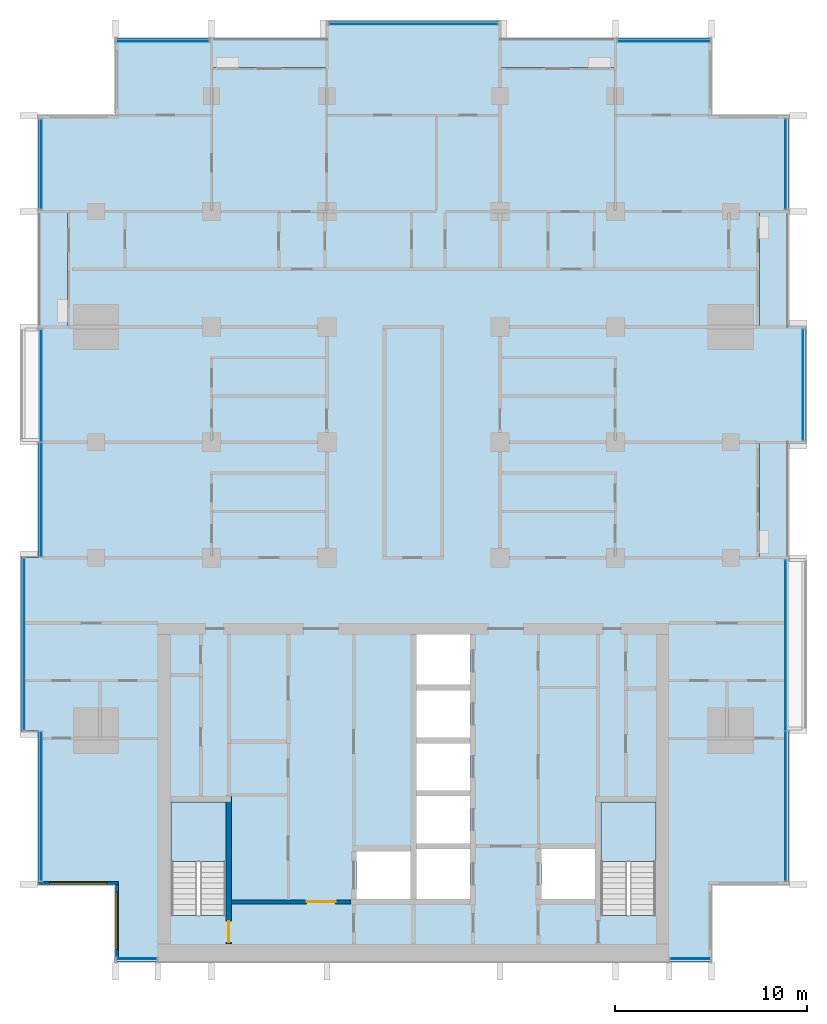
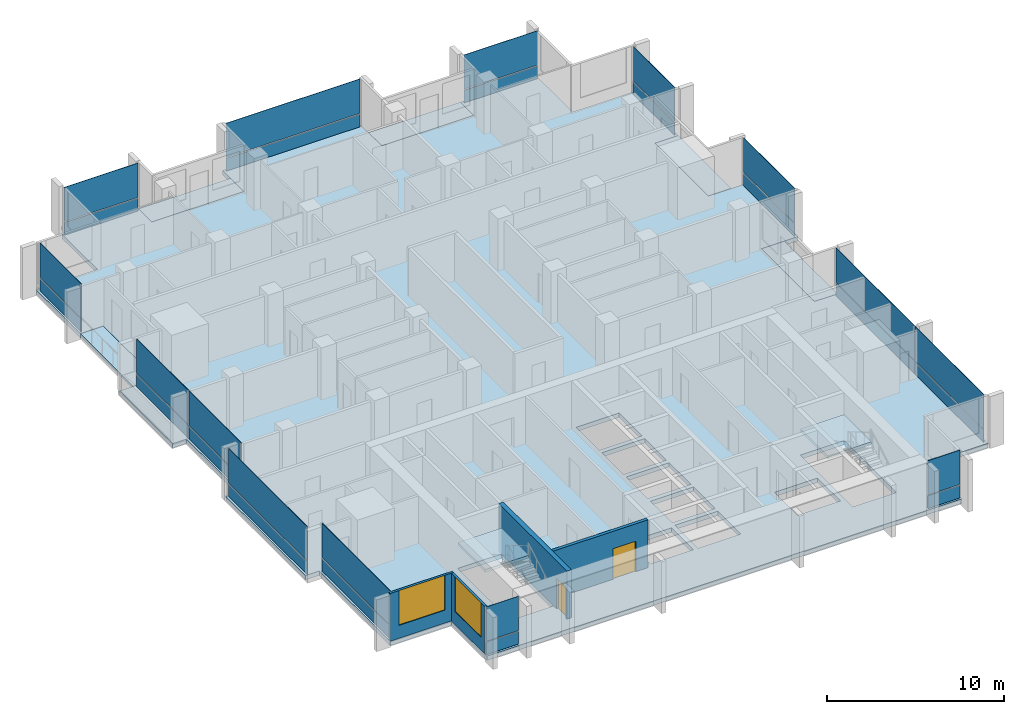
# One storey, part 6 of 17: 28 plates, 8 slabs, 4 walls, 2 doors, 2 windows, 4 openings, 14 elements without a shape of their own.
"""IFC4 building model written with IfcOpenShell, lengths in metres."""

from ifc_helpers import new_model, si_unit, direction, frame, frame_2d, origin, origin_2d, place, context, subcontext, project, spatial, polyline, rectangle, outline, extrude, material, layer, layer_set, type_object, element, fill, aggregate, save


model = new_model("IFC4")

# Units and contexts
model_context = context("Model", 3, precision=1e-05, world=origin(), true_north=direction((0.0, 1.0)))
body_context = subcontext(model_context, "Body", "Model", "MODEL_VIEW")
ifc_project = project(units=[si_unit("LENGTHUNIT", "METRE"), si_unit("AREAUNIT", "SQUARE_METRE"), si_unit("VOLUMEUNIT", "CUBIC_METRE"), si_unit("PLANEANGLEUNIT", "RADIAN"), si_unit("MASSUNIT", "GRAM", prefix="KILO")], contexts=[model_context])

# Site, building, storey
site_placement = place(None, origin())
site = spatial("IfcSite", under=ifc_project, at=site_placement, CompositionType="ELEMENT")
building_placement = place(site_placement, origin())
building = spatial("IfcBuilding", under=site, at=building_placement, Name="Finial Court Residences", CompositionType="ELEMENT")
storey_placement = place(building_placement, frame((0.0, 0.0, 181.699951171875)))
storey = spatial("IfcBuildingStorey", under=building, at=storey_placement, Name="L45", CompositionType="ELEMENT", Elevation=181.699951171875)

# Slabs
ifc_material_1 = material(Name="Concrete C35/45", Category="concrete")
ifc_layer_1 = layer(ifc_material_1, 0.199951171875)
ifc_layer_set_1 = layer_set([ifc_layer_1], Name="Balcony slab, Concrete C35/45 200")
slab_type_1 = type_object("IfcSlabType", Name="Balcony slab, Concrete C35/45 200", PredefinedType="FLOOR", material=ifc_layer_set_1)
slab_1_placement = place(storey_placement, frame((0.0, 0.0, -0.199951171875)))
element("IfcSlab", 1, at=slab_1_placement, inside=storey, type_object=slab_type_1, Name="Balcony L45-N2", PredefinedType="FLOOR", context=body_context, shape_type="SweptSolid", body=[
    extrude(outline(polyline([(-4.5, 21.0), (-4.5, 22.5), (-10.5, 22.5), (-10.5, 21.0), (-4.5, 21.0)])), origin(), (0.0, 0.0, 1.0), 0.199951171875),
])
slab_2_placement = place(storey_placement, frame((0.0, 0.0, -0.199951171875)))
element("IfcSlab", 2, at=slab_2_placement, inside=storey, type_object=slab_type_1, Name="Balcony L45-N4", PredefinedType="FLOOR", context=body_context, shape_type="SweptSolid", body=[
    extrude(outline(polyline([(10.5, 21.0), (10.5, 22.5), (4.5, 22.5), (4.5, 21.0), (10.5, 21.0)])), origin(), (0.0, 0.0, 1.0), 0.199951171875),
])
slab_3_placement = place(storey_placement, frame((0.0, 0.0, -0.199951171875)))
element("IfcSlab", 3, at=slab_3_placement, inside=storey, type_object=slab_type_1, Name="Balcony L45-E3", PredefinedType="FLOOR", context=body_context, shape_type="SweptSolid", body=[
    extrude(outline(polyline([(19.5, -4.5), (19.5, 1.5), (18.0, 1.5), (18.0, -4.5), (19.5, -4.5)])), origin(), (0.0, 0.0, 1.0), 0.199951171875),
])
slab_4_placement = place(storey_placement, frame((0.0, 0.0, -0.199951171875)))
element("IfcSlab", 4, at=slab_4_placement, inside=storey, type_object=slab_type_1, Name="Balcony L45-E5", PredefinedType="FLOOR", context=body_context, shape_type="SweptSolid", body=[
    extrude(outline(polyline([(19.5, 7.5), (19.5, 13.5), (18.0, 13.5), (18.0, 7.5), (19.5, 7.5)])), origin(), (0.0, 0.0, 1.0), 0.199951171875),
])
slab_5_placement = place(storey_placement, frame((0.0, 0.0, -0.199951171875)))
element("IfcSlab", 5, at=slab_5_placement, inside=storey, type_object=slab_type_1, Name="Balcony L45-W5", PredefinedType="FLOOR", context=body_context, shape_type="SweptSolid", body=[
    extrude(outline(polyline([(-18.0, 7.5), (-18.0, 13.5), (-19.5, 13.5), (-19.5, 7.5), (-18.0, 7.5)])), origin(), (0.0, 0.0, 1.0), 0.199951171875),
])

# Curtain wall, plate
ifc_material_2 = material(Name="Bronze anodised aluminium", Category="aluminium")
curtain_wall_type = type_object("IfcCurtainWallType", Name="Unitised curtain wall, upper zones", PredefinedType="NOTDEFINED", material=ifc_material_2)
curtain_wall_1_placement = place(storey_placement, origin())
curtain_wall_1 = element("IfcCurtainWall", 6, at=curtain_wall_1_placement, inside=storey, type_object=curtain_wall_type, Name="E-L45-CW-N1", PredefinedType="NOTDEFINED")
ifc_layer_2 = layer(ifc_material_2, 0.035888671875)
ifc_layer_set_2 = layer_set([ifc_layer_2], Name="CW2 spandrel panel 36")
plate_type_1 = type_object("IfcPlateType", Name="CW2 spandrel panel 36", PredefinedType="CURTAIN_PANEL", material=ifc_layer_set_2)
plate_1_placement = place(storey_placement, frame((-13.03759765625, 22.35009765625, 0.0), z_axis=(0.0, 0.0, 1.0), x_axis=(1.0, 0.0, 0.0)))
plate_1 = element("IfcPlate", 7, at=plate_1_placement, type_object=plate_type_1, Name="CW2 spandrel 1.1", PredefinedType="CURTAIN_PANEL", context=body_context, shape_type="SweptSolid", body=[
    extrude(rectangle(XDim=4.804931640625, YDim=0.035888671875, at=origin_2d()), origin(), (0.0, 0.0, 1.0), 0.8701171875),
])

curtain_wall_2_placement = place(storey_placement, origin())
curtain_wall_2 = element("IfcCurtainWall", 8, at=curtain_wall_2_placement, inside=storey, type_object=curtain_wall_type, Name="E-L45-CW-N2", PredefinedType="NOTDEFINED")
plate_2_placement = place(storey_placement, frame((0.0, 23.25, 0.0), z_axis=(0.0, 0.0, 1.0), x_axis=(1.0, 0.0, 0.0)))
plate_2 = element("IfcPlate", 9, at=plate_2_placement, type_object=plate_type_1, Name="CW2 spandrel 1.1", PredefinedType="CURTAIN_PANEL", context=body_context, shape_type="SweptSolid", body=[
    extrude(rectangle(XDim=8.72998046875, YDim=0.035888671875, at=origin_2d()), origin(), (0.0, 0.0, 1.0), 0.8701171875),
])

curtain_wall_3_placement = place(storey_placement, origin())
curtain_wall_3 = element("IfcCurtainWall", 10, at=curtain_wall_3_placement, inside=storey, type_object=curtain_wall_type, Name="E-L45-CW-N3", PredefinedType="NOTDEFINED")
plate_3_placement = place(storey_placement, frame((13.03759765625, 22.35009765625, 0.0), z_axis=(0.0, 0.0, 1.0), x_axis=(1.0, 0.0, 0.0)))
plate_3 = element("IfcPlate", 11, at=plate_3_placement, type_object=plate_type_1, Name="CW2 spandrel 1.1", PredefinedType="CURTAIN_PANEL", context=body_context, shape_type="SweptSolid", body=[
    extrude(rectangle(XDim=4.804931640625, YDim=0.035888671875, at=origin_2d()), origin(), (0.0, 0.0, 1.0), 0.8701171875),
])

# Curtain wall, plates
curtain_wall_4_placement = place(storey_placement, origin())
curtain_wall_4 = element("IfcCurtainWall", 12, at=curtain_wall_4_placement, inside=storey, type_object=curtain_wall_type, Name="E-L45-CW-E4", PredefinedType="NOTDEFINED")
plate_4_placement = place(storey_placement, frame((19.35009765625, -17.409912109375, 0.0), z_axis=(0.0, 0.0, 1.0), x_axis=(0.0, 1.0, 0.0)))
plate_4 = element("IfcPlate", 13, at=plate_4_placement, type_object=plate_type_1, Name="CW2 spandrel 1.1", PredefinedType="CURTAIN_PANEL", context=body_context, shape_type="SweptSolid", body=[
    extrude(rectangle(XDim=7.760009765625, YDim=0.035888671875, at=origin_2d()), origin(), (0.0, 0.0, 1.0), 0.8701171875),
])
plate_5_placement = place(storey_placement, frame((19.35009765625, -9.052490234375, 0.0), z_axis=(0.0, 0.0, 1.0), x_axis=(0.0, 1.0, 0.0)))
plate_5 = element("IfcPlate", 14, at=plate_5_placement, type_object=plate_type_1, Name="CW2 spandrel 2.1", PredefinedType="CURTAIN_PANEL", context=body_context, shape_type="SweptSolid", body=[
    extrude(rectangle(XDim=8.8349609375, YDim=0.035888671875, at=origin_2d()), origin(), (0.0, 0.0, 1.0), 0.8701171875),
])

# Curtain wall, plate
curtain_wall_5_placement = place(storey_placement, origin())
curtain_wall_5 = element("IfcCurtainWall", 15, at=curtain_wall_5_placement, inside=storey, type_object=curtain_wall_type, Name="E-L45-CW-E5", PredefinedType="NOTDEFINED")
plate_6_placement = place(storey_placement, frame((20.25, 4.5, 0.0), z_axis=(0.0, 0.0, 1.0), x_axis=(0.0, 1.0, 0.0)))
plate_6 = element("IfcPlate", 16, at=plate_6_placement, type_object=plate_type_1, Name="CW2 spandrel 1.1", PredefinedType="CURTAIN_PANEL", context=body_context, shape_type="SweptSolid", body=[
    extrude(rectangle(XDim=5.72998046875, YDim=0.035888671875, at=origin_2d()), origin(), (0.0, 0.0, 1.0), 0.8701171875),
])

curtain_wall_6_placement = place(storey_placement, origin())
curtain_wall_6 = element("IfcCurtainWall", 17, at=curtain_wall_6_placement, inside=storey, type_object=curtain_wall_type, Name="E-L45-CW-E6", PredefinedType="NOTDEFINED")
plate_7_placement = place(storey_placement, frame((19.35009765625, 15.96240234375, 0.0), z_axis=(0.0, 0.0, 1.0), x_axis=(0.0, 1.0, 0.0)))
plate_7 = element("IfcPlate", 18, at=plate_7_placement, type_object=plate_type_1, Name="CW2 spandrel 1.1", PredefinedType="CURTAIN_PANEL", context=body_context, shape_type="SweptSolid", body=[
    extrude(rectangle(XDim=4.655029296875, YDim=0.035888671875, at=origin_2d()), origin(), (0.0, 0.0, 1.0), 0.8701171875),
])

curtain_wall_7_placement = place(storey_placement, origin())
curtain_wall_7 = element("IfcCurtainWall", 19, at=curtain_wall_7_placement, inside=storey, type_object=curtain_wall_type, Name="E-L45-CW-S7", PredefinedType="NOTDEFINED")
plate_8_placement = place(storey_placement, frame((-14.39990234375, -25.35009765625, 0.0), z_axis=(0.0, 0.0, 1.0), x_axis=(1.0, 0.0, 0.0)))
plate_8 = element("IfcPlate", 20, at=plate_8_placement, type_object=plate_type_1, Name="CW2 spandrel 1.1", PredefinedType="CURTAIN_PANEL", context=body_context, shape_type="SweptSolid", body=[
    extrude(rectangle(XDim=2.080078125, YDim=0.035888671875, at=origin_2d()), origin(), (0.0, 0.0, 1.0), 0.8701171875),
])

curtain_wall_8_placement = place(storey_placement, origin())
curtain_wall_8 = element("IfcCurtainWall", 21, at=curtain_wall_8_placement, inside=storey, type_object=curtain_wall_type, Name="E-L45-CW-S8", PredefinedType="NOTDEFINED")
plate_9_placement = place(storey_placement, frame((14.39990234375, -25.35009765625, 0.0), z_axis=(0.0, 0.0, 1.0), x_axis=(1.0, 0.0, 0.0)))
plate_9 = element("IfcPlate", 22, at=plate_9_placement, type_object=plate_type_1, Name="CW2 spandrel 1.1", PredefinedType="CURTAIN_PANEL", context=body_context, shape_type="SweptSolid", body=[
    extrude(rectangle(XDim=2.080078125, YDim=0.035888671875, at=origin_2d()), origin(), (0.0, 0.0, 1.0), 0.8701171875),
])

curtain_wall_9_placement = place(storey_placement, origin())
curtain_wall_9 = element("IfcCurtainWall", 23, at=curtain_wall_9_placement, inside=storey, type_object=curtain_wall_type, Name="E-L45-CW-W9", PredefinedType="NOTDEFINED")
plate_10_placement = place(storey_placement, frame((-19.35009765625, -17.425048828125, 0.0), z_axis=(0.0, 0.0, 1.0), x_axis=(0.0, 1.0, 0.0)))
plate_10 = element("IfcPlate", 24, at=plate_10_placement, type_object=plate_type_1, Name="CW2 spandrel 1.1", PredefinedType="CURTAIN_PANEL", context=body_context, shape_type="SweptSolid", body=[
    extrude(rectangle(XDim=7.72998046875, YDim=0.035888671875, at=origin_2d()), origin(), (0.0, 0.0, 1.0), 0.8701171875),
])

curtain_wall_10_placement = place(storey_placement, origin())
curtain_wall_10 = element("IfcCurtainWall", 25, at=curtain_wall_10_placement, inside=storey, type_object=curtain_wall_type, Name="E-L45-CW-W10", PredefinedType="NOTDEFINED")
plate_11_placement = place(storey_placement, frame((-20.25, -9.0, 0.0), z_axis=(0.0, 0.0, 1.0), x_axis=(0.0, 1.0, 0.0)))
plate_11 = element("IfcPlate", 26, at=plate_11_placement, type_object=plate_type_1, Name="CW2 spandrel 1.1", PredefinedType="CURTAIN_PANEL", context=body_context, shape_type="SweptSolid", body=[
    extrude(rectangle(XDim=8.8798828125, YDim=0.035888671875, at=origin_2d()), origin(), (0.0, 0.0, 1.0), 0.8701171875),
])

# Curtain wall, plates
curtain_wall_11_placement = place(storey_placement, origin())
curtain_wall_11 = element("IfcCurtainWall", 27, at=curtain_wall_11_placement, inside=storey, type_object=curtain_wall_type, Name="E-L45-CW-W11", PredefinedType="NOTDEFINED")
plate_12_placement = place(storey_placement, frame((-19.35009765625, -1.485107421875, 0.0), z_axis=(0.0, 0.0, 1.0), x_axis=(0.0, 1.0, 0.0)))
plate_12 = element("IfcPlate", 28, at=plate_12_placement, type_object=plate_type_1, Name="CW2 spandrel 1.1", PredefinedType="CURTAIN_PANEL", context=body_context, shape_type="SweptSolid", body=[
    extrude(rectangle(XDim=5.909912109375, YDim=0.035888671875, at=origin_2d()), origin(), (0.0, 0.0, 1.0), 0.8701171875),
])
plate_13_placement = place(storey_placement, frame((-19.35009765625, 4.447509765625, 0.0), z_axis=(0.0, 0.0, 1.0), x_axis=(0.0, 1.0, 0.0)))
plate_13 = element("IfcPlate", 29, at=plate_13_placement, type_object=plate_type_1, Name="CW2 spandrel 2.1", PredefinedType="CURTAIN_PANEL", context=body_context, shape_type="SweptSolid", body=[
    extrude(rectangle(XDim=5.8349609375, YDim=0.035888671875, at=origin_2d()), origin(), (0.0, 0.0, 1.0), 0.8701171875),
])

# Curtain wall, plate
curtain_wall_12_placement = place(storey_placement, origin())
curtain_wall_12 = element("IfcCurtainWall", 30, at=curtain_wall_12_placement, inside=storey, type_object=curtain_wall_type, Name="E-L45-CW-W12", PredefinedType="NOTDEFINED")
plate_14_placement = place(storey_placement, frame((-19.35009765625, 15.96240234375, 0.0), z_axis=(0.0, 0.0, 1.0), x_axis=(0.0, 1.0, 0.0)))
plate_14 = element("IfcPlate", 31, at=plate_14_placement, type_object=plate_type_1, Name="CW2 spandrel 1.1", PredefinedType="CURTAIN_PANEL", context=body_context, shape_type="SweptSolid", body=[
    extrude(rectangle(XDim=4.655029296875, YDim=0.035888671875, at=origin_2d()), origin(), (0.0, 0.0, 1.0), 0.8701171875),
])

# Plate
ifc_material_3 = material(Name="Clear low-e glass", Category="glass")
ifc_layer_3 = layer(ifc_material_3, 0.030029296875)
ifc_layer_set_3 = layer_set([ifc_layer_3], Name="CW2 vision glass 30")
plate_type_2 = type_object("IfcPlateType", Name="CW2 vision glass 30", PredefinedType="CURTAIN_PANEL", material=ifc_layer_set_3)
plate_15_placement = place(storey_placement, frame((-13.03759765625, 22.35009765625, 0.929931640625), z_axis=(0.0, 0.0, 1.0), x_axis=(1.0, 0.0, 0.0)))
plate_15 = element("IfcPlate", 32, at=plate_15_placement, type_object=plate_type_2, Name="CW2 glass 1.2", PredefinedType="CURTAIN_PANEL", context=body_context, shape_type="SweptSolid", body=[
    extrude(rectangle(XDim=4.804931640625, YDim=0.030029296875, at=origin_2d()), origin(), (0.0, 0.0, 1.0), 2.3701171875),
])

aggregate(curtain_wall_1, [plate_1, plate_15])

plate_16_placement = place(storey_placement, frame((0.0, 23.25, 0.929931640625), z_axis=(0.0, 0.0, 1.0), x_axis=(1.0, 0.0, 0.0)))
plate_16 = element("IfcPlate", 33, at=plate_16_placement, type_object=plate_type_2, Name="CW2 glass 1.2", PredefinedType="CURTAIN_PANEL", context=body_context, shape_type="SweptSolid", body=[
    extrude(rectangle(XDim=8.72998046875, YDim=0.030029296875, at=origin_2d()), origin(), (0.0, 0.0, 1.0), 2.3701171875),
])

aggregate(curtain_wall_2, [plate_2, plate_16])

plate_17_placement = place(storey_placement, frame((13.03759765625, 22.35009765625, 0.929931640625), z_axis=(0.0, 0.0, 1.0), x_axis=(1.0, 0.0, 0.0)))
plate_17 = element("IfcPlate", 34, at=plate_17_placement, type_object=plate_type_2, Name="CW2 glass 1.2", PredefinedType="CURTAIN_PANEL", context=body_context, shape_type="SweptSolid", body=[
    extrude(rectangle(XDim=4.804931640625, YDim=0.030029296875, at=origin_2d()), origin(), (0.0, 0.0, 1.0), 2.3701171875),
])

aggregate(curtain_wall_3, [plate_3, plate_17])

plate_18_placement = place(storey_placement, frame((19.35009765625, -17.409912109375, 0.929931640625), z_axis=(0.0, 0.0, 1.0), x_axis=(0.0, 1.0, 0.0)))
plate_18 = element("IfcPlate", 35, at=plate_18_placement, type_object=plate_type_2, Name="CW2 glass 1.2", PredefinedType="CURTAIN_PANEL", context=body_context, shape_type="SweptSolid", body=[
    extrude(rectangle(XDim=7.760009765625, YDim=0.030029296875, at=origin_2d()), origin(), (0.0, 0.0, 1.0), 2.3701171875),
])

plate_19_placement = place(storey_placement, frame((19.35009765625, -9.052490234375, 0.929931640625), z_axis=(0.0, 0.0, 1.0), x_axis=(0.0, 1.0, 0.0)))
plate_19 = element("IfcPlate", 36, at=plate_19_placement, type_object=plate_type_2, Name="CW2 glass 2.2", PredefinedType="CURTAIN_PANEL", context=body_context, shape_type="SweptSolid", body=[
    extrude(rectangle(XDim=8.8349609375, YDim=0.030029296875, at=origin_2d()), origin(), (0.0, 0.0, 1.0), 2.3701171875),
])

aggregate(curtain_wall_4, [plate_4, plate_18, plate_5, plate_19])

plate_20_placement = place(storey_placement, frame((20.25, 4.5, 0.929931640625), z_axis=(0.0, 0.0, 1.0), x_axis=(0.0, 1.0, 0.0)))
plate_20 = element("IfcPlate", 37, at=plate_20_placement, type_object=plate_type_2, Name="CW2 glass 1.2", PredefinedType="CURTAIN_PANEL", context=body_context, shape_type="SweptSolid", body=[
    extrude(rectangle(XDim=5.72998046875, YDim=0.030029296875, at=origin_2d()), origin(), (0.0, 0.0, 1.0), 2.3701171875),
])

aggregate(curtain_wall_5, [plate_6, plate_20])

plate_21_placement = place(storey_placement, frame((19.35009765625, 15.96240234375, 0.929931640625), z_axis=(0.0, 0.0, 1.0), x_axis=(0.0, 1.0, 0.0)))
plate_21 = element("IfcPlate", 38, at=plate_21_placement, type_object=plate_type_2, Name="CW2 glass 1.2", PredefinedType="CURTAIN_PANEL", context=body_context, shape_type="SweptSolid", body=[
    extrude(rectangle(XDim=4.655029296875, YDim=0.030029296875, at=origin_2d()), origin(), (0.0, 0.0, 1.0), 2.3701171875),
])

aggregate(curtain_wall_6, [plate_7, plate_21])

plate_22_placement = place(storey_placement, frame((-14.39990234375, -25.35009765625, 0.929931640625), z_axis=(0.0, 0.0, 1.0), x_axis=(1.0, 0.0, 0.0)))
plate_22 = element("IfcPlate", 39, at=plate_22_placement, type_object=plate_type_2, Name="CW2 glass 1.2", PredefinedType="CURTAIN_PANEL", context=body_context, shape_type="SweptSolid", body=[
    extrude(rectangle(XDim=2.080078125, YDim=0.030029296875, at=origin_2d()), origin(), (0.0, 0.0, 1.0), 2.3701171875),
])

aggregate(curtain_wall_7, [plate_8, plate_22])

plate_23_placement = place(storey_placement, frame((14.39990234375, -25.35009765625, 0.929931640625), z_axis=(0.0, 0.0, 1.0), x_axis=(1.0, 0.0, 0.0)))
plate_23 = element("IfcPlate", 40, at=plate_23_placement, type_object=plate_type_2, Name="CW2 glass 1.2", PredefinedType="CURTAIN_PANEL", context=body_context, shape_type="SweptSolid", body=[
    extrude(rectangle(XDim=2.080078125, YDim=0.030029296875, at=origin_2d()), origin(), (0.0, 0.0, 1.0), 2.3701171875),
])

aggregate(curtain_wall_8, [plate_9, plate_23])

plate_24_placement = place(storey_placement, frame((-19.35009765625, -17.425048828125, 0.929931640625), z_axis=(0.0, 0.0, 1.0), x_axis=(0.0, 1.0, 0.0)))
plate_24 = element("IfcPlate", 41, at=plate_24_placement, type_object=plate_type_2, Name="CW2 glass 1.2", PredefinedType="CURTAIN_PANEL", context=body_context, shape_type="SweptSolid", body=[
    extrude(rectangle(XDim=7.72998046875, YDim=0.030029296875, at=origin_2d()), origin(), (0.0, 0.0, 1.0), 2.3701171875),
])

aggregate(curtain_wall_9, [plate_10, plate_24])

plate_25_placement = place(storey_placement, frame((-20.25, -9.0, 0.929931640625), z_axis=(0.0, 0.0, 1.0), x_axis=(0.0, 1.0, 0.0)))
plate_25 = element("IfcPlate", 42, at=plate_25_placement, type_object=plate_type_2, Name="CW2 glass 1.2", PredefinedType="CURTAIN_PANEL", context=body_context, shape_type="SweptSolid", body=[
    extrude(rectangle(XDim=8.8798828125, YDim=0.030029296875, at=origin_2d()), origin(), (0.0, 0.0, 1.0), 2.3701171875),
])

aggregate(curtain_wall_10, [plate_11, plate_25])

plate_26_placement = place(storey_placement, frame((-19.35009765625, -1.485107421875, 0.929931640625), z_axis=(0.0, 0.0, 1.0), x_axis=(0.0, 1.0, 0.0)))
plate_26 = element("IfcPlate", 43, at=plate_26_placement, type_object=plate_type_2, Name="CW2 glass 1.2", PredefinedType="CURTAIN_PANEL", context=body_context, shape_type="SweptSolid", body=[
    extrude(rectangle(XDim=5.909912109375, YDim=0.030029296875, at=origin_2d()), origin(), (0.0, 0.0, 1.0), 2.3701171875),
])

plate_27_placement = place(storey_placement, frame((-19.35009765625, 4.447509765625, 0.929931640625), z_axis=(0.0, 0.0, 1.0), x_axis=(0.0, 1.0, 0.0)))
plate_27 = element("IfcPlate", 44, at=plate_27_placement, type_object=plate_type_2, Name="CW2 glass 2.2", PredefinedType="CURTAIN_PANEL", context=body_context, shape_type="SweptSolid", body=[
    extrude(rectangle(XDim=5.8349609375, YDim=0.030029296875, at=origin_2d()), origin(), (0.0, 0.0, 1.0), 2.3701171875),
])

aggregate(curtain_wall_11, [plate_12, plate_26, plate_13, plate_27])

plate_28_placement = place(storey_placement, frame((-19.35009765625, 15.96240234375, 0.929931640625), z_axis=(0.0, 0.0, 1.0), x_axis=(0.0, 1.0, 0.0)))
plate_28 = element("IfcPlate", 45, at=plate_28_placement, type_object=plate_type_2, Name="CW2 glass 1.2", PredefinedType="CURTAIN_PANEL", context=body_context, shape_type="SweptSolid", body=[
    extrude(rectangle(XDim=4.655029296875, YDim=0.030029296875, at=origin_2d()), origin(), (0.0, 0.0, 1.0), 2.3701171875),
])

aggregate(curtain_wall_12, [plate_14, plate_28])

# Stair, slab
ifc_material_4 = material(Name="Concrete C50/60", Category="concrete")
stair_type = type_object("IfcStairType", Name="Exit stair 22 risers of 163.6 mm", PredefinedType="HALF_TURN_STAIR", material=ifc_material_4)
stair_1_placement = place(storey_placement, origin())
stair_1 = element("IfcStair", 46, at=stair_1_placement, inside=storey, type_object=stair_type, Name="L45 Exit stair ST-1", PredefinedType="HALF_TURN_STAIR")
ifc_layer_4 = layer(ifc_material_4, 0.199951171875)
ifc_layer_set_4 = layer_set([ifc_layer_4], Name="Exit stair landing")
slab_type_2 = type_object("IfcSlabType", Name="Exit stair landing", PredefinedType="LANDING", material=ifc_layer_set_4)
slab_6_placement = place(storey_placement, frame((0.0, 0.0, 1.60009765625)))
slab_6 = element("IfcSlab", 47, at=slab_6_placement, type_object=slab_type_2, Name="ST-1 landing 1", PredefinedType="LANDING", context=body_context, shape_type="SweptSolid", body=[
    extrude(outline(polyline([(-9.75, -20.300048828125), (-9.75, -17.199951171875), (-12.60009765625, -17.199951171875), (-12.60009765625, -20.300048828125), (-9.75, -20.300048828125)])), origin(), (0.0, 0.0, 1.0), 0.199951171875),
])
aggregate(stair_1, [slab_6])

stair_2_placement = place(storey_placement, origin())
stair_2 = element("IfcStair", 48, at=stair_2_placement, inside=storey, type_object=stair_type, Name="L45 Exit stair ST-2", PredefinedType="HALF_TURN_STAIR")
slab_7_placement = place(storey_placement, frame((0.0, 0.0, 1.60009765625)))
slab_7 = element("IfcSlab", 49, at=slab_7_placement, type_object=slab_type_2, Name="ST-2 landing 1", PredefinedType="LANDING", context=body_context, shape_type="SweptSolid", body=[
    extrude(outline(polyline([(12.60009765625, -20.300048828125), (12.60009765625, -17.199951171875), (9.75, -17.199951171875), (9.75, -20.300048828125), (12.60009765625, -20.300048828125)])), origin(), (0.0, 0.0, 1.0), 0.199951171875),
])
aggregate(stair_2, [slab_7])

# Slab
ifc_material_5 = material(Name="Concrete C40/50", Category="concrete")
ifc_layer_5 = layer(ifc_material_5, 0.300048828125)
ifc_layer_set_5 = layer_set([ifc_layer_5], Name="Flat plate slab 300 Concrete C40/50")
slab_type_3 = type_object("IfcSlabType", Name="Flat plate slab 300 Concrete C40/50", PredefinedType="FLOOR", material=ifc_layer_set_5)
slab_8_placement = place(storey_placement, frame((0.0, 0.0, -0.300048828125)))
element("IfcSlab", 50, at=slab_8_placement, inside=storey, type_object=slab_type_3, Name="S:SLAB:L45", PredefinedType="FLOOR", context=body_context, shape_type="SweptSolid", body=[
    extrude(outline(polyline([(20.39990234375, -4.5), (20.39990234375, -13.5), (19.5, -13.5), (19.5, -21.5), (15.5, -21.5), (15.5, -25.5), (-15.5, -25.5), (-15.5, -21.5), (-19.5, -21.5), (-19.5, -13.5), (-20.39990234375, -13.5), (-20.39990234375, -4.5), (-19.5, -4.5), (-19.5, 1.5), (-20.39990234375, 1.5), (-20.39990234375, 7.5), (-19.5, 7.5), (-18.0, 7.5), (-18.0, 13.5), (-19.5, 13.5), (-19.5, 18.5), (-15.5, 18.5), (-15.5, 22.5), (-10.5, 22.5), (-10.5, 21.0), (-4.5, 21.0), (-4.5, 22.5), (-4.5, 23.39990234375), (4.5, 23.39990234375), (4.5, 22.5), (4.5, 21.0), (10.5, 21.0), (10.5, 22.5), (15.5, 22.5), (15.5, 18.5), (19.5, 18.5), (19.5, 13.5), (18.0, 13.5), (18.0, 7.5), (19.5, 7.5), (20.39990234375, 7.5), (20.39990234375, 1.5), (19.5, 1.5), (18.0, 1.5), (18.0, -4.5), (19.5, -4.5), (20.39990234375, -4.5)]), holes=[polyline([(-0.14990234375, -19.77001953125), (-2.949951171875, -19.77001953125), (-2.949951171875, -22.25), (-0.14990234375, -22.25), (-0.14990234375, -19.77001953125)]), polyline([(2.949951171875, -19.64990234375), (0.14990234375, -19.64990234375), (0.14990234375, -22.25), (2.949951171875, -22.25), (2.949951171875, -19.64990234375)]), polyline([(9.449951171875, -19.64990234375), (6.64990234375, -19.64990234375), (6.64990234375, -22.25), (9.449951171875, -22.25), (9.449951171875, -19.64990234375)]), polyline([(-12.60009765625, -17.199951171875), (-12.60009765625, -23.09912109375), (-9.75, -23.09912109375), (-9.75, -17.199951171875), (-12.60009765625, -17.199951171875)]), polyline([(9.75, -17.199951171875), (9.75, -23.09912109375), (12.60009765625, -23.09912109375), (12.60009765625, -17.199951171875), (9.75, -17.199951171875)]), polyline([(2.949951171875, -16.89990234375), (0.14990234375, -16.89990234375), (0.14990234375, -19.35009765625), (2.949951171875, -19.35009765625), (2.949951171875, -16.89990234375)]), polyline([(2.949951171875, -14.14990234375), (0.14990234375, -14.14990234375), (0.14990234375, -16.60009765625), (2.949951171875, -16.60009765625), (2.949951171875, -14.14990234375)]), polyline([(2.949951171875, -13.85009765625), (2.949951171875, -11.39990234375), (0.14990234375, -11.39990234375), (0.14990234375, -13.85009765625), (2.949951171875, -13.85009765625)]), polyline([(2.949951171875, -11.10009765625), (2.949951171875, -8.5), (0.14990234375, -8.5), (0.14990234375, -11.10009765625), (2.949951171875, -11.10009765625)])]), origin(), (0.0, 0.0, 1.0), 0.300048828125),
])

# Wall, opening, door
ifc_material_6 = material(Name="Concrete C70/85", Category="concrete")
ifc_layer_6 = layer(ifc_material_6, 0.300048828125)
ifc_layer_set_6 = layer_set([ifc_layer_6], Name="Lift shaft and stair wall 300 Concrete C70/85")
wall_type_1 = type_object("IfcWallType", Name="Lift shaft and stair wall 300 Concrete C70/85", PredefinedType="SHEAR", material=ifc_layer_set_6)
wall_1_placement = place(storey_placement, frame((-9.60009765625, -24.60009765625, 0.0), z_axis=(0.0, 0.0, 1.0), x_axis=(0.0, 1.0, 0.0)))
wall_1 = element("IfcWall", 51, at=wall_1_placement, inside=storey, type_object=wall_type_1, Name="Core wall L45-20", PredefinedType="SHEAR", context=body_context, shape_type="SweptSolid", body=[
    extrude(rectangle(XDim=7.7001953125, YDim=0.300048828125, at=frame_2d((3.85009765625, 0.0))), origin(), (0.0, 0.0, 1.0), 3.300048828125),
])
opening_1_placement = place(wall_1_placement, frame((0.10009765625, 0.0, 0.0)))
opening_1 = element("IfcOpeningElement", 52, at=opening_1_placement, cuts=wall_1, Name="Opening L45-C20", PredefinedType="OPENING", context=body_context, shape_type="SweptSolid", body=[
    extrude(rectangle(XDim=1.10009765625, YDim=2.10009765625, at=frame_2d((0.550048828125, 1.050048828125))), frame((0.0, 0.159912109375, 0.0), z_axis=(0.0, -1.0, 0.0), x_axis=(1.0, 0.0, 0.0)), (0.0, 0.0, 1.0), 0.320068359375),
])
ifc_material_7 = material(Name="Steel fire door", Category="steel")
door_type_1 = type_object("IfcDoorType", Name="Stair door 1100 x 2100 EI 90", OperationType="NOTDEFINED", PredefinedType="DOOR", material=ifc_material_7)
door_1_placement = place(opening_1_placement, origin())
door_1 = element("IfcDoor", 53, at=door_1_placement, inside=storey, type_object=door_type_1, Name="Stair door L45-C20", OperationType="SINGLE_SWING_LEFT", OverallHeight=2.10009765625, OverallWidth=1.10009765625, PredefinedType="DOOR", context=body_context, shape_type="SweptSolid", body=[
    extrude(rectangle(XDim=1.10009765625, YDim=2.10009765625, at=frame_2d((0.550048828125, 1.050048828125))), frame((0.0, 0.02490234375, 0.0), z_axis=(0.0, -1.0, 0.0), x_axis=(1.0, 0.0, 0.0)), (0.0, 0.0, 1.0), 0.050048828125),
])
fill(opening_1, door_1)

# Wall, opening, window
ifc_material_8 = material(Name="Natural limestone", Category="masonry")
ifc_layer_7 = layer(ifc_material_8, 0.14990234375)
ifc_layer_set_7 = layer_set([ifc_layer_7], Name="Limestone clad wall 150")
wall_type_2 = type_object("IfcWallType", Name="Limestone clad wall 150", PredefinedType="SOLIDWALL", material=ifc_layer_set_7)
wall_2_placement = place(storey_placement, frame((-15.425048828125, -25.262451171875, 0.0), z_axis=(0.0, 0.0, 1.0), x_axis=(0.0, 1.0, 0.0)))
wall_2 = element("IfcWall", 54, at=wall_2_placement, inside=storey, type_object=wall_type_2, Name="E-L45-NWW13", PredefinedType="SOLIDWALL", context=body_context, shape_type="SweptSolid", body=[
    extrude(rectangle(XDim=3.762451171875, YDim=0.14990234375, at=frame_2d((1.88134765625, 0.0))), origin(), (0.0, 0.0, 1.0), 3.300048828125),
])
opening_2_placement = place(wall_2_placement, frame((0.401123046875, 0.0, 0.89990234375)))
opening_2 = element("IfcOpeningElement", 55, at=opening_2_placement, cuts=wall_2, Name="Opening WE45-01", PredefinedType="OPENING", context=body_context, shape_type="SweptSolid", body=[
    extrude(rectangle(XDim=2.9599609375, YDim=2.39990234375, at=frame_2d((1.47998046875, 1.199951171875))), frame((0.0, 0.0849609375, 0.0), z_axis=(0.0, -1.0, 0.0), x_axis=(1.0, 0.0, 0.0)), (0.0, 0.0, 1.0), 0.169921875),
])
window_type_1 = type_object("IfcWindowType", Name="Corner window 2960 x 2400", PartitioningType="SINGLE_PANEL", PredefinedType="WINDOW", material=ifc_material_3)
window_1_placement = place(opening_2_placement, origin())
window_1 = element("IfcWindow", 56, at=window_1_placement, inside=storey, type_object=window_type_1, Name="E-L45-NWW13-W1", OverallHeight=2.39990234375, OverallWidth=2.9599609375, PartitioningType="SINGLE_PANEL", PredefinedType="WINDOW", context=body_context, shape_type="SweptSolid", body=[
    extrude(rectangle(XDim=2.9599609375, YDim=2.39990234375, at=frame_2d((1.47998046875, 1.199951171875))), frame((0.0, 0.030029296875, 0.0), z_axis=(0.0, -1.0, 0.0), x_axis=(1.0, 0.0, 0.0)), (0.0, 0.0, 1.0), 0.06005859375),
])
fill(opening_2, window_1)

wall_3_placement = place(storey_placement, frame((-15.35009765625, -21.425048828125, 0.0), z_axis=(0.0, 0.0, 1.0), x_axis=(-1.0, 0.0, 0.0)))
wall_3 = element("IfcWall", 57, at=wall_3_placement, inside=storey, type_object=wall_type_2, Name="E-L45-NWS14", PredefinedType="SOLIDWALL", context=body_context, shape_type="SweptSolid", body=[
    extrude(rectangle(XDim=4.14990234375, YDim=0.14990234375, at=frame_2d((2.074951171875, 0.0))), origin(), (0.0, 0.0, 1.0), 3.300048828125),
])
opening_3_placement = place(wall_3_placement, frame((0.574951171875, 0.0, 0.89990234375)))
opening_3 = element("IfcOpeningElement", 58, at=opening_3_placement, cuts=wall_3, Name="Opening WE45-02", PredefinedType="OPENING", context=body_context, shape_type="SweptSolid", body=[
    extrude(rectangle(XDim=3.0, YDim=2.39990234375, at=frame_2d((1.5, 1.199951171875))), frame((0.0, 0.0849609375, 0.0), z_axis=(0.0, -1.0, 0.0), x_axis=(1.0, 0.0, 0.0)), (0.0, 0.0, 1.0), 0.169921875),
])
window_type_2 = type_object("IfcWindowType", Name="Corner window 3000 x 2400", PartitioningType="SINGLE_PANEL", PredefinedType="WINDOW", material=ifc_material_3)
window_2_placement = place(opening_3_placement, origin())
window_2 = element("IfcWindow", 59, at=window_2_placement, inside=storey, type_object=window_type_2, Name="E-L45-NWS14-W1", OverallHeight=2.39990234375, OverallWidth=3.0, PartitioningType="SINGLE_PANEL", PredefinedType="WINDOW", context=body_context, shape_type="SweptSolid", body=[
    extrude(rectangle(XDim=3.0, YDim=2.39990234375, at=frame_2d((1.5, 1.199951171875))), frame((0.0, 0.030029296875, 0.0), z_axis=(0.0, -1.0, 0.0), x_axis=(1.0, 0.0, 0.0)), (0.0, 0.0, 1.0), 0.06005859375),
])
fill(opening_3, window_2)

# Wall, opening, door
ifc_material_9 = material(Name="Fire-rated gypsum board partition")
ifc_layer_8 = layer(ifc_material_9, 0.199951171875)
ifc_layer_set_8 = layer_set([ifc_layer_8], Name="Stair passage wall 200 EI 180")
wall_type_3 = type_object("IfcWallType", Name="Stair passage wall 200 EI 180", PredefinedType="PARTITIONING", material=ifc_layer_set_8)
wall_4_placement = place(storey_placement, frame((-3.25, -22.39990234375, 0.0), z_axis=(0.0, 0.0, 1.0), x_axis=(-1.0, 0.0, 0.0)))
wall_4 = element("IfcWall", 60, at=wall_4_placement, inside=storey, type_object=wall_type_3, Name="Core partition L45-01", PredefinedType="PARTITIONING", context=body_context, shape_type="SweptSolid", body=[
    extrude(rectangle(XDim=6.199951171875, YDim=0.199951171875, at=frame_2d((3.10009765625, 0.0))), origin(), (0.0, 0.0, 1.0), 3.300048828125),
])
opening_4_placement = place(wall_4_placement, frame((0.800048828125, 0.0, 0.0)))
opening_4 = element("IfcOpeningElement", 61, at=opening_4_placement, cuts=wall_4, Name="Opening L45-C03", PredefinedType="OPENING", context=body_context, shape_type="SweptSolid", body=[
    extrude(rectangle(XDim=1.5, YDim=2.10009765625, at=frame_2d((0.75, 1.050048828125))), frame((0.0, 0.10986328125, 0.0), z_axis=(0.0, -1.0, 0.0), x_axis=(1.0, 0.0, 0.0)), (0.0, 0.0, 1.0), 0.219970703125),
])
door_type_2 = type_object("IfcDoorType", Name="Lift lobby door 1500 x 2100 EI 60", OperationType="DOUBLE_DOOR_SINGLE_SWING", PredefinedType="DOOR", material=ifc_material_7)
door_2_placement = place(opening_4_placement, origin())
door_2 = element("IfcDoor", 62, at=door_2_placement, inside=storey, type_object=door_type_2, Name="Lift lobby door L45-C03", OperationType="DOUBLE_DOOR_SINGLE_SWING", OverallHeight=2.10009765625, OverallWidth=1.5, PredefinedType="DOOR", context=body_context, shape_type="SweptSolid", body=[
    extrude(rectangle(XDim=1.5, YDim=2.10009765625, at=frame_2d((0.75, 1.050048828125))), frame((0.0, 0.02490234375, 0.0), z_axis=(0.0, -1.0, 0.0), x_axis=(1.0, 0.0, 0.0)), (0.0, 0.0, 1.0), 0.050048828125),
])
fill(opening_4, door_2)

save(model, "model.ifc")
